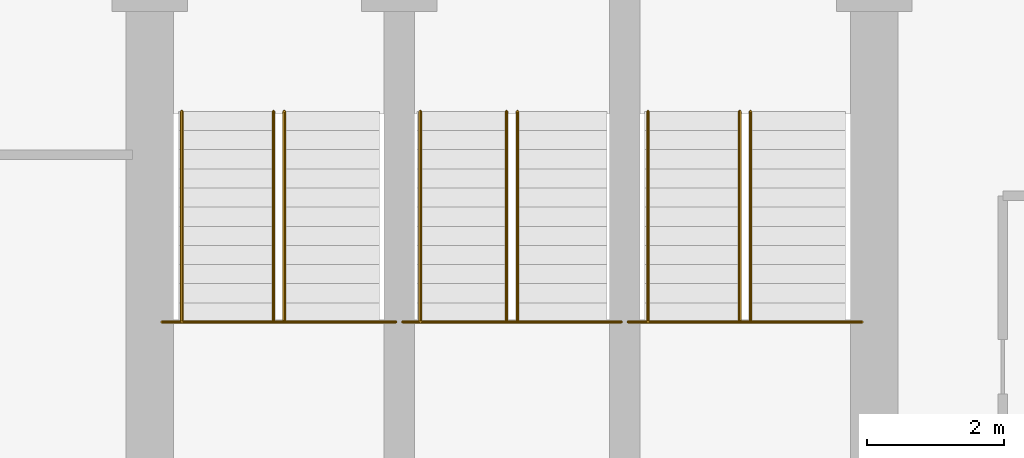
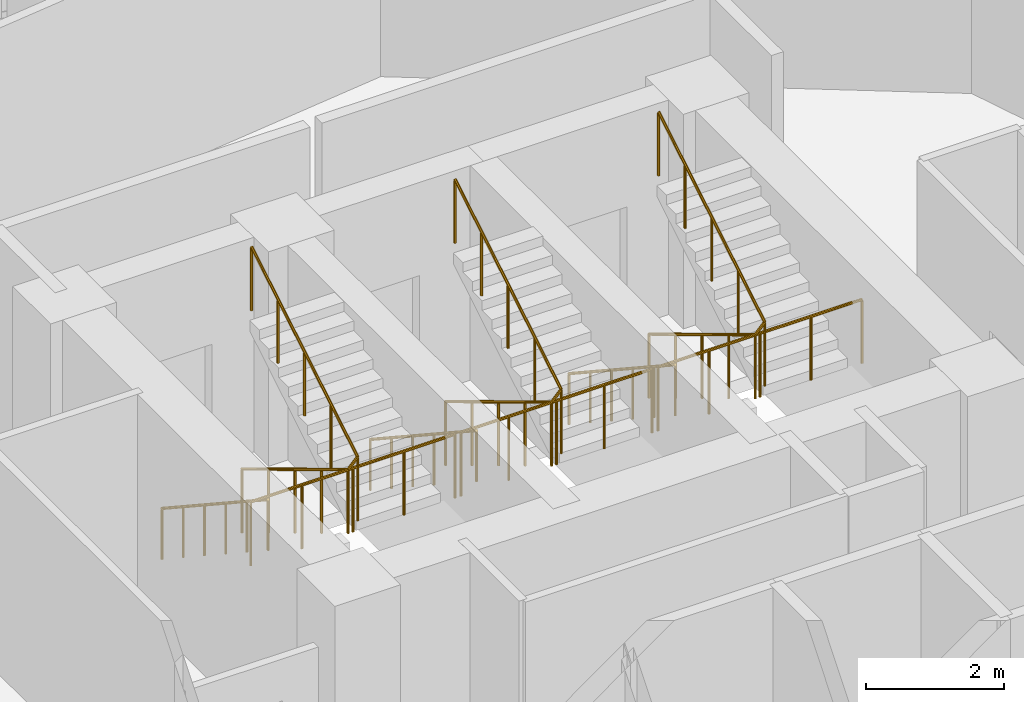
# One storey, part 24 of 24: 9 railings.
"""IFC4 building model written with IfcOpenShell, lengths in metres."""

from ifc_helpers import new_model, si_unit, direction, frame, origin, place, context, subcontext, project, spatial, polyline, outline, extrude, material, type_object, element, save


model = new_model("IFC4")

# Units and contexts
model_context = context("Model", 3, precision=1e-05, world=origin(), true_north=direction((0.0, 1.0)))
body_context = subcontext(model_context, "Body", "Model", "MODEL_VIEW")
ifc_project = project(units=[si_unit("LENGTHUNIT", "METRE"), si_unit("AREAUNIT", "SQUARE_METRE"), si_unit("VOLUMEUNIT", "CUBIC_METRE"), si_unit("PLANEANGLEUNIT", "RADIAN"), si_unit("MASSUNIT", "GRAM", prefix="KILO")], contexts=[model_context])

# Site, building, storey
site_placement = place(None, origin())
site = spatial("IfcSite", under=ifc_project, at=site_placement, CompositionType="ELEMENT")
building_placement = place(site_placement, origin())
building = spatial("IfcBuilding", under=site, at=building_placement, Name="Nuhasar Tower", CompositionType="ELEMENT")
storey_placement = place(building_placement, frame((0.0, 0.0, 89.85009765625)))
storey = spatial("IfcBuildingStorey", under=building, at=storey_placement, Name="L21", CompositionType="ELEMENT", Elevation=89.85009765625)

# Railings
ifc_material_1 = material(Name="Steel S355", Category="steel")
railing_type_1 = type_object("IfcRailingType", Name="RLG-STAIR-GUARD-1150", PredefinedType="GUARDRAIL", material=ifc_material_1)
railing_1_placement = place(storey_placement, frame((33.8798828125, 32.205078125, 2.02490234375)))
element("IfcRailing", 1, at=railing_1_placement, inside=storey, type_object=railing_type_1, Name="L21 Stair ST-01 Guardrail LND", PredefinedType="GUARDRAIL", context=body_context, shape_type="SweptSolid", body=[
    extrude(outline(polyline([(0.024169921875, 0.0), (0.01708984375, 0.01708984375), (0.0, 0.024169921875), (-0.01708984375, 0.01708984375), (-0.024169921875, 0.0), (-0.01708984375, -0.01708984375), (0.0, -0.024169921875), (0.01708984375, -0.01708984375), (0.024169921875, 0.0)])), frame((0.0, 0.0, 1.1259765625), z_axis=(1.0, 0.0, 0.0), x_axis=(0.0, 1.0, 0.0)), (0.0, 0.0, 1.0), 3.420166015625),
    extrude(outline(polyline([(0.02099609375, 0.0), (0.014892578125, 0.014892578125), (0.0, 0.02099609375), (-0.014892578125, 0.014892578125), (-0.02099609375, 0.0), (-0.014892578125, -0.014892578125), (0.0, -0.02099609375), (0.014892578125, -0.014892578125), (0.02099609375, 0.0)])), origin(), (0.0, 0.0, 1.0), 1.101806640625),
    extrude(outline(polyline([(0.02099609375, 0.0), (0.014892578125, 0.014892578125), (0.0, 0.02099609375), (-0.014892578125, 0.014892578125), (-0.02099609375, 0.0), (-0.014892578125, -0.014892578125), (0.0, -0.02099609375), (0.014892578125, -0.014892578125), (0.02099609375, 0.0)])), frame((0.85498046875, 0.0, 0.0)), (0.0, 0.0, 1.0), 1.101806640625),
    extrude(outline(polyline([(0.02099609375, 0.0), (0.014892578125, 0.014892578125), (0.0, 0.02099609375), (-0.014892578125, 0.014892578125), (-0.02099609375, 0.0), (-0.014892578125, -0.014892578125), (0.0, -0.02099609375), (0.014892578125, -0.014892578125), (0.02099609375, 0.0)])), frame((1.7099609375, 0.0, 0.0)), (0.0, 0.0, 1.0), 1.101806640625),
    extrude(outline(polyline([(0.02099609375, 0.0), (0.014892578125, 0.014892578125), (0.0, 0.02099609375), (-0.014892578125, 0.014892578125), (-0.02099609375, 0.0), (-0.014892578125, -0.014892578125), (0.0, -0.02099609375), (0.014892578125, -0.014892578125), (0.02099609375, 0.0)])), frame((2.565185546875, 0.0, 0.0)), (0.0, 0.0, 1.0), 1.101806640625),
    extrude(outline(polyline([(0.02099609375, 0.0), (0.014892578125, 0.014892578125), (0.0, 0.02099609375), (-0.014892578125, 0.014892578125), (-0.02099609375, 0.0), (-0.014892578125, -0.014892578125), (0.0, -0.02099609375), (0.014892578125, -0.014892578125), (0.02099609375, 0.0)])), frame((3.420166015625, 0.0, 0.0)), (0.0, 0.0, 1.0), 1.101806640625),
])
railing_2_placement = place(storey_placement, frame((35.510009765625, 35.284912109375, 0.1689453125)))
element("IfcRailing", 2, at=railing_2_placement, inside=storey, type_object=railing_type_1, Name="L21 Stair ST-01 Guardrail SLT", PredefinedType="GUARDRAIL", context=body_context, shape_type="SweptSolid", body=[
    extrude(outline(polyline([(0.024169921875, 0.0), (0.01708984375, 0.01708984375), (0.0, 0.024169921875), (-0.01708984375, 0.01708984375), (-0.024169921875, 0.0), (-0.01708984375, -0.01708984375), (0.0, -0.024169921875), (0.01708984375, -0.01708984375), (0.024169921875, 0.0)])), frame((0.0, 0.0, 1.1259765625), z_axis=(0.0, -0.856502863198, 0.516142272377), x_axis=(1.0, 0.0, 0.0)), (0.0, 0.0, 1.0), 3.595703125),
    extrude(outline(polyline([(0.024169921875, 0.0), (0.01708984375, 0.01708984375), (0.0, 0.024169921875), (-0.01708984375, 0.01708984375), (-0.024169921875, 0.0), (-0.01708984375, -0.01708984375), (0.0, -0.024169921875), (0.01708984375, -0.01708984375), (0.024169921875, 0.0)])), frame((0.0, -3.079833984375, 2.98193359375), z_axis=(0.687424367727, 0.0, 0.726255973232), x_axis=(0.0, 1.0, 0.0)), (0.0, 0.0, 1.0), 0.232666015625),
    extrude(outline(polyline([(0.024169921875, 0.0), (0.01708984375, 0.01708984375), (0.0, 0.024169921875), (-0.01708984375, 0.01708984375), (-0.024169921875, 0.0), (-0.01708984375, -0.01708984375), (0.0, -0.024169921875), (0.01708984375, -0.01708984375), (0.024169921875, 0.0)])), frame((0.159912109375, -3.079833984375, 3.15087890625), z_axis=(0.0, 0.856502863198, 0.516142272377), x_axis=(-1.0, 0.0, 0.0)), (0.0, 0.0, 1.0), 3.595703125),
    extrude(outline(polyline([(0.02099609375, 0.0), (0.014892578125, 0.014892578125), (0.0, 0.02099609375), (-0.014892578125, 0.014892578125), (-0.02099609375, 0.0), (-0.014892578125, -0.014892578125), (0.0, -0.02099609375), (0.014892578125, -0.014892578125), (0.02099609375, 0.0)])), origin(), (0.0, 0.0, 1.0), 1.101806640625),
    extrude(outline(polyline([(0.02099609375, 0.0), (0.014892578125, 0.014892578125), (0.0, 0.02099609375), (-0.014892578125, 0.014892578125), (-0.02099609375, 0.0), (-0.014892578125, -0.014892578125), (0.0, -0.02099609375), (0.014892578125, -0.014892578125), (0.02099609375, 0.0)])), frame((0.0, -0.77001953125, 0.4638671875)), (0.0, 0.0, 1.0), 1.101806640625),
    extrude(outline(polyline([(0.02099609375, 0.0), (0.014892578125, 0.014892578125), (0.0, 0.02099609375), (-0.014892578125, 0.014892578125), (-0.02099609375, 0.0), (-0.014892578125, -0.014892578125), (0.0, -0.02099609375), (0.014892578125, -0.014892578125), (0.02099609375, 0.0)])), frame((0.0, -1.5400390625, 0.927978515625)), (0.0, 0.0, 1.0), 1.101806640625),
    extrude(outline(polyline([(0.02099609375, 0.0), (0.014892578125, 0.014892578125), (0.0, 0.02099609375), (-0.014892578125, 0.014892578125), (-0.02099609375, 0.0), (-0.014892578125, -0.014892578125), (0.0, -0.02099609375), (0.014892578125, -0.014892578125), (0.02099609375, 0.0)])), frame((0.0, -2.309814453125, 1.39208984375)), (0.0, 0.0, 1.0), 1.101806640625),
    extrude(outline(polyline([(0.02099609375, 0.0), (0.014892578125, 0.014892578125), (0.0, 0.02099609375), (-0.014892578125, 0.014892578125), (-0.02099609375, 0.0), (-0.014892578125, -0.014892578125), (0.0, -0.02099609375), (0.014892578125, -0.014892578125), (0.02099609375, 0.0)])), frame((0.0, -3.079833984375, 1.85595703125)), (0.0, 0.0, 1.0), 1.101806640625),
    extrude(outline(polyline([(0.02099609375, 0.0), (0.014892578125, 0.014892578125), (0.0, 0.02099609375), (-0.014892578125, 0.014892578125), (-0.02099609375, 0.0), (-0.014892578125, -0.014892578125), (0.0, -0.02099609375), (0.014892578125, -0.014892578125), (0.02099609375, 0.0)])), frame((0.159912109375, -3.079833984375, 2.02490234375)), (0.0, 0.0, 1.0), 1.101806640625),
    extrude(outline(polyline([(0.02099609375, 0.0), (0.014892578125, 0.014892578125), (0.0, 0.02099609375), (-0.014892578125, 0.014892578125), (-0.02099609375, 0.0), (-0.014892578125, -0.014892578125), (0.0, -0.02099609375), (0.014892578125, -0.014892578125), (0.02099609375, 0.0)])), frame((0.159912109375, -2.309814453125, 2.48876953125)), (0.0, 0.0, 1.0), 1.101806640625),
    extrude(outline(polyline([(0.02099609375, 0.0), (0.014892578125, 0.014892578125), (0.0, 0.02099609375), (-0.014892578125, 0.014892578125), (-0.02099609375, 0.0), (-0.014892578125, -0.014892578125), (0.0, -0.02099609375), (0.014892578125, -0.014892578125), (0.02099609375, 0.0)])), frame((0.159912109375, -1.5400390625, 2.952880859375)), (0.0, 0.0, 1.0), 1.101806640625),
    extrude(outline(polyline([(0.02099609375, 0.0), (0.014892578125, 0.014892578125), (0.0, 0.02099609375), (-0.014892578125, 0.014892578125), (-0.02099609375, 0.0), (-0.014892578125, -0.014892578125), (0.0, -0.02099609375), (0.014892578125, -0.014892578125), (0.02099609375, 0.0)])), frame((0.159912109375, -0.77001953125, 3.4169921875)), (0.0, 0.0, 1.0), 1.101806640625),
    extrude(outline(polyline([(0.02099609375, 0.0), (0.014892578125, 0.014892578125), (0.0, 0.02099609375), (-0.014892578125, 0.014892578125), (-0.02099609375, 0.0), (-0.014892578125, -0.014892578125), (0.0, -0.02099609375), (0.014892578125, -0.014892578125), (0.02099609375, 0.0)])), frame((0.159912109375, 0.0, 3.880859375)), (0.0, 0.0, 1.0), 1.101806640625),
])
railing_3_placement = place(storey_placement, frame((37.39990234375, 32.205078125, 2.02490234375)))
element("IfcRailing", 3, at=railing_3_placement, inside=storey, type_object=railing_type_1, Name="L21 Stair ST-03 Guardrail LND", PredefinedType="GUARDRAIL", context=body_context, shape_type="SweptSolid", body=[
    extrude(outline(polyline([(0.024169921875, 0.0), (0.01708984375, 0.01708984375), (0.0, 0.024169921875), (-0.01708984375, 0.01708984375), (-0.024169921875, 0.0), (-0.01708984375, -0.01708984375), (0.0, -0.024169921875), (0.01708984375, -0.01708984375), (0.024169921875, 0.0)])), frame((0.0, 0.0, 1.1259765625), z_axis=(1.0, 0.0, 0.0), x_axis=(0.0, 1.0, 0.0)), (0.0, 0.0, 1.0), 3.2001953125),
    extrude(outline(polyline([(0.02099609375, 0.0), (0.014892578125, 0.014892578125), (0.0, 0.02099609375), (-0.014892578125, 0.014892578125), (-0.02099609375, 0.0), (-0.014892578125, -0.014892578125), (0.0, -0.02099609375), (0.014892578125, -0.014892578125), (0.02099609375, 0.0)])), origin(), (0.0, 0.0, 1.0), 1.101806640625),
    extrude(outline(polyline([(0.02099609375, 0.0), (0.014892578125, 0.014892578125), (0.0, 0.02099609375), (-0.014892578125, 0.014892578125), (-0.02099609375, 0.0), (-0.014892578125, -0.014892578125), (0.0, -0.02099609375), (0.014892578125, -0.014892578125), (0.02099609375, 0.0)])), frame((0.800048828125, 0.0, 0.0)), (0.0, 0.0, 1.0), 1.101806640625),
    extrude(outline(polyline([(0.02099609375, 0.0), (0.014892578125, 0.014892578125), (0.0, 0.02099609375), (-0.014892578125, 0.014892578125), (-0.02099609375, 0.0), (-0.014892578125, -0.014892578125), (0.0, -0.02099609375), (0.014892578125, -0.014892578125), (0.02099609375, 0.0)])), frame((1.60009765625, 0.0, 0.0)), (0.0, 0.0, 1.0), 1.101806640625),
    extrude(outline(polyline([(0.02099609375, 0.0), (0.014892578125, 0.014892578125), (0.0, 0.02099609375), (-0.014892578125, 0.014892578125), (-0.02099609375, 0.0), (-0.014892578125, -0.014892578125), (0.0, -0.02099609375), (0.014892578125, -0.014892578125), (0.02099609375, 0.0)])), frame((2.400146484375, 0.0, 0.0)), (0.0, 0.0, 1.0), 1.101806640625),
    extrude(outline(polyline([(0.02099609375, 0.0), (0.014892578125, 0.014892578125), (0.0, 0.02099609375), (-0.014892578125, 0.014892578125), (-0.02099609375, 0.0), (-0.014892578125, -0.014892578125), (0.0, -0.02099609375), (0.014892578125, -0.014892578125), (0.02099609375, 0.0)])), frame((3.2001953125, 0.0, 0.0)), (0.0, 0.0, 1.0), 1.101806640625),
])
railing_4_placement = place(storey_placement, frame((38.919921875, 35.284912109375, 0.1689453125)))
element("IfcRailing", 4, at=railing_4_placement, inside=storey, type_object=railing_type_1, Name="L21 Stair ST-03 Guardrail SLT", PredefinedType="GUARDRAIL", context=body_context, shape_type="SweptSolid", body=[
    extrude(outline(polyline([(0.024169921875, 0.0), (0.01708984375, 0.01708984375), (0.0, 0.024169921875), (-0.01708984375, 0.01708984375), (-0.024169921875, 0.0), (-0.01708984375, -0.01708984375), (0.0, -0.024169921875), (0.01708984375, -0.01708984375), (0.024169921875, 0.0)])), frame((0.0, 0.0, 1.1259765625), z_axis=(0.0, -0.856502863198, 0.516142272377), x_axis=(1.0, 0.0, 0.0)), (0.0, 0.0, 1.0), 3.595703125),
    extrude(outline(polyline([(0.024169921875, 0.0), (0.01708984375, 0.01708984375), (0.0, 0.024169921875), (-0.01708984375, 0.01708984375), (-0.024169921875, 0.0), (-0.01708984375, -0.01708984375), (0.0, -0.024169921875), (0.01708984375, -0.01708984375), (0.024169921875, 0.0)])), frame((0.0, -3.079833984375, 2.98193359375), z_axis=(0.687977326998, 0.0, 0.725732180309), x_axis=(0.0, 1.0, 0.0)), (0.0, 0.0, 1.0), 0.23291015625),
    extrude(outline(polyline([(0.024169921875, 0.0), (0.01708984375, 0.01708984375), (0.0, 0.024169921875), (-0.01708984375, 0.01708984375), (-0.024169921875, 0.0), (-0.01708984375, -0.01708984375), (0.0, -0.024169921875), (0.01708984375, -0.01708984375), (0.024169921875, 0.0)])), frame((0.16015625, -3.079833984375, 3.15087890625), z_axis=(0.0, 0.856502863198, 0.516142272377), x_axis=(-1.0, 0.0, 0.0)), (0.0, 0.0, 1.0), 3.595703125),
    extrude(outline(polyline([(0.02099609375, 0.0), (0.014892578125, 0.014892578125), (0.0, 0.02099609375), (-0.014892578125, 0.014892578125), (-0.02099609375, 0.0), (-0.014892578125, -0.014892578125), (0.0, -0.02099609375), (0.014892578125, -0.014892578125), (0.02099609375, 0.0)])), origin(), (0.0, 0.0, 1.0), 1.101806640625),
    extrude(outline(polyline([(0.02099609375, 0.0), (0.014892578125, 0.014892578125), (0.0, 0.02099609375), (-0.014892578125, 0.014892578125), (-0.02099609375, 0.0), (-0.014892578125, -0.014892578125), (0.0, -0.02099609375), (0.014892578125, -0.014892578125), (0.02099609375, 0.0)])), frame((0.0, -0.77001953125, 0.4638671875)), (0.0, 0.0, 1.0), 1.101806640625),
    extrude(outline(polyline([(0.02099609375, 0.0), (0.014892578125, 0.014892578125), (0.0, 0.02099609375), (-0.014892578125, 0.014892578125), (-0.02099609375, 0.0), (-0.014892578125, -0.014892578125), (0.0, -0.02099609375), (0.014892578125, -0.014892578125), (0.02099609375, 0.0)])), frame((0.0, -1.5400390625, 0.927978515625)), (0.0, 0.0, 1.0), 1.101806640625),
    extrude(outline(polyline([(0.02099609375, 0.0), (0.014892578125, 0.014892578125), (0.0, 0.02099609375), (-0.014892578125, 0.014892578125), (-0.02099609375, 0.0), (-0.014892578125, -0.014892578125), (0.0, -0.02099609375), (0.014892578125, -0.014892578125), (0.02099609375, 0.0)])), frame((0.0, -2.309814453125, 1.39208984375)), (0.0, 0.0, 1.0), 1.101806640625),
    extrude(outline(polyline([(0.02099609375, 0.0), (0.014892578125, 0.014892578125), (0.0, 0.02099609375), (-0.014892578125, 0.014892578125), (-0.02099609375, 0.0), (-0.014892578125, -0.014892578125), (0.0, -0.02099609375), (0.014892578125, -0.014892578125), (0.02099609375, 0.0)])), frame((0.0, -3.079833984375, 1.85595703125)), (0.0, 0.0, 1.0), 1.101806640625),
    extrude(outline(polyline([(0.02099609375, 0.0), (0.014892578125, 0.014892578125), (0.0, 0.02099609375), (-0.014892578125, 0.014892578125), (-0.02099609375, 0.0), (-0.014892578125, -0.014892578125), (0.0, -0.02099609375), (0.014892578125, -0.014892578125), (0.02099609375, 0.0)])), frame((0.16015625, -3.079833984375, 2.02490234375)), (0.0, 0.0, 1.0), 1.101806640625),
    extrude(outline(polyline([(0.02099609375, 0.0), (0.014892578125, 0.014892578125), (0.0, 0.02099609375), (-0.014892578125, 0.014892578125), (-0.02099609375, 0.0), (-0.014892578125, -0.014892578125), (0.0, -0.02099609375), (0.014892578125, -0.014892578125), (0.02099609375, 0.0)])), frame((0.16015625, -2.309814453125, 2.48876953125)), (0.0, 0.0, 1.0), 1.101806640625),
    extrude(outline(polyline([(0.02099609375, 0.0), (0.014892578125, 0.014892578125), (0.0, 0.02099609375), (-0.014892578125, 0.014892578125), (-0.02099609375, 0.0), (-0.014892578125, -0.014892578125), (0.0, -0.02099609375), (0.014892578125, -0.014892578125), (0.02099609375, 0.0)])), frame((0.16015625, -1.5400390625, 2.952880859375)), (0.0, 0.0, 1.0), 1.101806640625),
    extrude(outline(polyline([(0.02099609375, 0.0), (0.014892578125, 0.014892578125), (0.0, 0.02099609375), (-0.014892578125, 0.014892578125), (-0.02099609375, 0.0), (-0.014892578125, -0.014892578125), (0.0, -0.02099609375), (0.014892578125, -0.014892578125), (0.02099609375, 0.0)])), frame((0.16015625, -0.77001953125, 3.4169921875)), (0.0, 0.0, 1.0), 1.101806640625),
    extrude(outline(polyline([(0.02099609375, 0.0), (0.014892578125, 0.014892578125), (0.0, 0.02099609375), (-0.014892578125, 0.014892578125), (-0.02099609375, 0.0), (-0.014892578125, -0.014892578125), (0.0, -0.02099609375), (0.014892578125, -0.014892578125), (0.02099609375, 0.0)])), frame((0.16015625, 0.0, 3.880859375)), (0.0, 0.0, 1.0), 1.101806640625),
])
railing_5_placement = place(storey_placement, frame((40.699951171875, 32.205078125, 2.02490234375)))
element("IfcRailing", 5, at=railing_5_placement, inside=storey, type_object=railing_type_1, Name="L21 Stair ST-02 Guardrail LND", PredefinedType="GUARDRAIL", context=body_context, shape_type="SweptSolid", body=[
    extrude(outline(polyline([(0.024169921875, 0.0), (0.01708984375, 0.01708984375), (0.0, 0.024169921875), (-0.01708984375, 0.01708984375), (-0.024169921875, 0.0), (-0.01708984375, -0.01708984375), (0.0, -0.024169921875), (0.01708984375, -0.01708984375), (0.024169921875, 0.0)])), frame((0.0, 0.0, 1.1259765625), z_axis=(1.0, 0.0, 0.0), x_axis=(0.0, 1.0, 0.0)), (0.0, 0.0, 1.0), 3.420166015625),
    extrude(outline(polyline([(0.02099609375, 0.0), (0.014892578125, 0.014892578125), (0.0, 0.02099609375), (-0.014892578125, 0.014892578125), (-0.02099609375, 0.0), (-0.014892578125, -0.014892578125), (0.0, -0.02099609375), (0.014892578125, -0.014892578125), (0.02099609375, 0.0)])), origin(), (0.0, 0.0, 1.0), 1.101806640625),
    extrude(outline(polyline([(0.02099609375, 0.0), (0.014892578125, 0.014892578125), (0.0, 0.02099609375), (-0.014892578125, 0.014892578125), (-0.02099609375, 0.0), (-0.014892578125, -0.014892578125), (0.0, -0.02099609375), (0.014892578125, -0.014892578125), (0.02099609375, 0.0)])), frame((0.85498046875, 0.0, 0.0)), (0.0, 0.0, 1.0), 1.101806640625),
    extrude(outline(polyline([(0.02099609375, 0.0), (0.014892578125, 0.014892578125), (0.0, 0.02099609375), (-0.014892578125, 0.014892578125), (-0.02099609375, 0.0), (-0.014892578125, -0.014892578125), (0.0, -0.02099609375), (0.014892578125, -0.014892578125), (0.02099609375, 0.0)])), frame((1.7099609375, 0.0, 0.0)), (0.0, 0.0, 1.0), 1.101806640625),
    extrude(outline(polyline([(0.02099609375, 0.0), (0.014892578125, 0.014892578125), (0.0, 0.02099609375), (-0.014892578125, 0.014892578125), (-0.02099609375, 0.0), (-0.014892578125, -0.014892578125), (0.0, -0.02099609375), (0.014892578125, -0.014892578125), (0.02099609375, 0.0)])), frame((2.565185546875, 0.0, 0.0)), (0.0, 0.0, 1.0), 1.101806640625),
    extrude(outline(polyline([(0.02099609375, 0.0), (0.014892578125, 0.014892578125), (0.0, 0.02099609375), (-0.014892578125, 0.014892578125), (-0.02099609375, 0.0), (-0.014892578125, -0.014892578125), (0.0, -0.02099609375), (0.014892578125, -0.014892578125), (0.02099609375, 0.0)])), frame((3.420166015625, 0.0, 0.0)), (0.0, 0.0, 1.0), 1.101806640625),
])
railing_6_placement = place(storey_placement, frame((42.330078125, 35.284912109375, 0.1689453125)))
element("IfcRailing", 6, at=railing_6_placement, inside=storey, type_object=railing_type_1, Name="L21 Stair ST-02 Guardrail SLT", PredefinedType="GUARDRAIL", context=body_context, shape_type="SweptSolid", body=[
    extrude(outline(polyline([(0.024169921875, 0.0), (0.01708984375, 0.01708984375), (0.0, 0.024169921875), (-0.01708984375, 0.01708984375), (-0.024169921875, 0.0), (-0.01708984375, -0.01708984375), (0.0, -0.024169921875), (0.01708984375, -0.01708984375), (0.024169921875, 0.0)])), frame((0.0, 0.0, 1.1259765625), z_axis=(0.0, -0.856502863198, 0.516142272377), x_axis=(1.0, 0.0, 0.0)), (0.0, 0.0, 1.0), 3.595703125),
    extrude(outline(polyline([(0.024169921875, 0.0), (0.01708984375, 0.01708984375), (0.0, 0.024169921875), (-0.01708984375, 0.01708984375), (-0.024169921875, 0.0), (-0.01708984375, -0.01708984375), (0.0, -0.024169921875), (0.01708984375, -0.01708984375), (0.024169921875, 0.0)])), frame((0.0, -3.079833984375, 2.98193359375), z_axis=(0.687424367727, 0.0, 0.726255973232), x_axis=(0.0, 1.0, 0.0)), (0.0, 0.0, 1.0), 0.232666015625),
    extrude(outline(polyline([(0.024169921875, 0.0), (0.01708984375, 0.01708984375), (0.0, 0.024169921875), (-0.01708984375, 0.01708984375), (-0.024169921875, 0.0), (-0.01708984375, -0.01708984375), (0.0, -0.024169921875), (0.01708984375, -0.01708984375), (0.024169921875, 0.0)])), frame((0.159912109375, -3.079833984375, 3.15087890625), z_axis=(0.0, 0.856502863198, 0.516142272377), x_axis=(-1.0, 0.0, 0.0)), (0.0, 0.0, 1.0), 3.595703125),
    extrude(outline(polyline([(0.02099609375, 0.0), (0.014892578125, 0.014892578125), (0.0, 0.02099609375), (-0.014892578125, 0.014892578125), (-0.02099609375, 0.0), (-0.014892578125, -0.014892578125), (0.0, -0.02099609375), (0.014892578125, -0.014892578125), (0.02099609375, 0.0)])), origin(), (0.0, 0.0, 1.0), 1.101806640625),
    extrude(outline(polyline([(0.02099609375, 0.0), (0.014892578125, 0.014892578125), (0.0, 0.02099609375), (-0.014892578125, 0.014892578125), (-0.02099609375, 0.0), (-0.014892578125, -0.014892578125), (0.0, -0.02099609375), (0.014892578125, -0.014892578125), (0.02099609375, 0.0)])), frame((0.0, -0.77001953125, 0.4638671875)), (0.0, 0.0, 1.0), 1.101806640625),
    extrude(outline(polyline([(0.02099609375, 0.0), (0.014892578125, 0.014892578125), (0.0, 0.02099609375), (-0.014892578125, 0.014892578125), (-0.02099609375, 0.0), (-0.014892578125, -0.014892578125), (0.0, -0.02099609375), (0.014892578125, -0.014892578125), (0.02099609375, 0.0)])), frame((0.0, -1.5400390625, 0.927978515625)), (0.0, 0.0, 1.0), 1.101806640625),
    extrude(outline(polyline([(0.02099609375, 0.0), (0.014892578125, 0.014892578125), (0.0, 0.02099609375), (-0.014892578125, 0.014892578125), (-0.02099609375, 0.0), (-0.014892578125, -0.014892578125), (0.0, -0.02099609375), (0.014892578125, -0.014892578125), (0.02099609375, 0.0)])), frame((0.0, -2.309814453125, 1.39208984375)), (0.0, 0.0, 1.0), 1.101806640625),
    extrude(outline(polyline([(0.02099609375, 0.0), (0.014892578125, 0.014892578125), (0.0, 0.02099609375), (-0.014892578125, 0.014892578125), (-0.02099609375, 0.0), (-0.014892578125, -0.014892578125), (0.0, -0.02099609375), (0.014892578125, -0.014892578125), (0.02099609375, 0.0)])), frame((0.0, -3.079833984375, 1.85595703125)), (0.0, 0.0, 1.0), 1.101806640625),
    extrude(outline(polyline([(0.02099609375, 0.0), (0.014892578125, 0.014892578125), (0.0, 0.02099609375), (-0.014892578125, 0.014892578125), (-0.02099609375, 0.0), (-0.014892578125, -0.014892578125), (0.0, -0.02099609375), (0.014892578125, -0.014892578125), (0.02099609375, 0.0)])), frame((0.159912109375, -3.079833984375, 2.02490234375)), (0.0, 0.0, 1.0), 1.101806640625),
    extrude(outline(polyline([(0.02099609375, 0.0), (0.014892578125, 0.014892578125), (0.0, 0.02099609375), (-0.014892578125, 0.014892578125), (-0.02099609375, 0.0), (-0.014892578125, -0.014892578125), (0.0, -0.02099609375), (0.014892578125, -0.014892578125), (0.02099609375, 0.0)])), frame((0.159912109375, -2.309814453125, 2.48876953125)), (0.0, 0.0, 1.0), 1.101806640625),
    extrude(outline(polyline([(0.02099609375, 0.0), (0.014892578125, 0.014892578125), (0.0, 0.02099609375), (-0.014892578125, 0.014892578125), (-0.02099609375, 0.0), (-0.014892578125, -0.014892578125), (0.0, -0.02099609375), (0.014892578125, -0.014892578125), (0.02099609375, 0.0)])), frame((0.159912109375, -1.5400390625, 2.952880859375)), (0.0, 0.0, 1.0), 1.101806640625),
    extrude(outline(polyline([(0.02099609375, 0.0), (0.014892578125, 0.014892578125), (0.0, 0.02099609375), (-0.014892578125, 0.014892578125), (-0.02099609375, 0.0), (-0.014892578125, -0.014892578125), (0.0, -0.02099609375), (0.014892578125, -0.014892578125), (0.02099609375, 0.0)])), frame((0.159912109375, -0.77001953125, 3.4169921875)), (0.0, 0.0, 1.0), 1.101806640625),
    extrude(outline(polyline([(0.02099609375, 0.0), (0.014892578125, 0.014892578125), (0.0, 0.02099609375), (-0.014892578125, 0.014892578125), (-0.02099609375, 0.0), (-0.014892578125, -0.014892578125), (0.0, -0.02099609375), (0.014892578125, -0.014892578125), (0.02099609375, 0.0)])), frame((0.159912109375, 0.0, 3.880859375)), (0.0, 0.0, 1.0), 1.101806640625),
])
ifc_material_2 = material(Name="Stainless Steel 316L", Category="steel")
railing_type_2 = type_object("IfcRailingType", Name="RLG-STAIR-HAND-920", PredefinedType="HANDRAIL", material=ifc_material_2)
railing_7_placement = place(storey_placement, frame((34.169921875, 35.284912109375, 0.1689453125)))
element("IfcRailing", 7, at=railing_7_placement, inside=storey, type_object=railing_type_2, Name="L21 Stair ST-01 Handrail HND1", PredefinedType="HANDRAIL", context=body_context, shape_type="SweptSolid", body=[
    extrude(outline(polyline([(0.024169921875, 0.0), (0.01708984375, 0.01708984375), (0.0, 0.024169921875), (-0.01708984375, 0.01708984375), (-0.024169921875, 0.0), (-0.01708984375, -0.01708984375), (0.0, -0.024169921875), (0.01708984375, -0.01708984375), (0.024169921875, 0.0)])), frame((0.0, 0.0, 0.89599609375), z_axis=(0.0, -0.83557951683, 0.54936952141), x_axis=(1.0, 0.0, 0.0)), (0.0, 0.0, 1.0), 3.685791015625),
    extrude(outline(polyline([(0.02099609375, 0.0), (0.014892578125, 0.014892578125), (0.0, 0.02099609375), (-0.014892578125, 0.014892578125), (-0.02099609375, 0.0), (-0.014892578125, -0.014892578125), (0.0, -0.02099609375), (0.014892578125, -0.014892578125), (0.02099609375, 0.0)])), origin(), (0.0, 0.0, 1.0), 0.871826171875),
    extrude(outline(polyline([(0.02099609375, 0.0), (0.014892578125, 0.014892578125), (0.0, 0.02099609375), (-0.014892578125, 0.014892578125), (-0.02099609375, 0.0), (-0.014892578125, -0.014892578125), (0.0, -0.02099609375), (0.014892578125, -0.014892578125), (0.02099609375, 0.0)])), frame((0.0, -0.615966796875, 0.405029296875)), (0.0, 0.0, 1.0), 0.871826171875),
    extrude(outline(polyline([(0.02099609375, 0.0), (0.014892578125, 0.014892578125), (0.0, 0.02099609375), (-0.014892578125, 0.014892578125), (-0.02099609375, 0.0), (-0.014892578125, -0.014892578125), (0.0, -0.02099609375), (0.014892578125, -0.014892578125), (0.02099609375, 0.0)])), frame((0.0, -1.23193359375, 0.81005859375)), (0.0, 0.0, 1.0), 0.871826171875),
    extrude(outline(polyline([(0.02099609375, 0.0), (0.014892578125, 0.014892578125), (0.0, 0.02099609375), (-0.014892578125, 0.014892578125), (-0.02099609375, 0.0), (-0.014892578125, -0.014892578125), (0.0, -0.02099609375), (0.014892578125, -0.014892578125), (0.02099609375, 0.0)])), frame((0.0, -1.847900390625, 1.21484375)), (0.0, 0.0, 1.0), 0.871826171875),
    extrude(outline(polyline([(0.02099609375, 0.0), (0.014892578125, 0.014892578125), (0.0, 0.02099609375), (-0.014892578125, 0.014892578125), (-0.02099609375, 0.0), (-0.014892578125, -0.014892578125), (0.0, -0.02099609375), (0.014892578125, -0.014892578125), (0.02099609375, 0.0)])), frame((0.0, -2.4638671875, 1.619873046875)), (0.0, 0.0, 1.0), 0.871826171875),
    extrude(outline(polyline([(0.02099609375, 0.0), (0.014892578125, 0.014892578125), (0.0, 0.02099609375), (-0.014892578125, 0.014892578125), (-0.02099609375, 0.0), (-0.014892578125, -0.014892578125), (0.0, -0.02099609375), (0.014892578125, -0.014892578125), (0.02099609375, 0.0)])), frame((0.0, -3.079833984375, 2.02490234375)), (0.0, 0.0, 1.0), 0.871826171875),
])
railing_8_placement = place(storey_placement, frame((37.659912109375, 35.284912109375, 0.1689453125)))
element("IfcRailing", 8, at=railing_8_placement, inside=storey, type_object=railing_type_2, Name="L21 Stair ST-03 Handrail HND1", PredefinedType="HANDRAIL", context=body_context, shape_type="SweptSolid", body=[
    extrude(outline(polyline([(0.024169921875, 0.0), (0.01708984375, 0.01708984375), (0.0, 0.024169921875), (-0.01708984375, 0.01708984375), (-0.024169921875, 0.0), (-0.01708984375, -0.01708984375), (0.0, -0.024169921875), (0.01708984375, -0.01708984375), (0.024169921875, 0.0)])), frame((0.0, 0.0, 0.89599609375), z_axis=(0.0, -0.83557951683, 0.54936952141), x_axis=(1.0, 0.0, 0.0)), (0.0, 0.0, 1.0), 3.685791015625),
    extrude(outline(polyline([(0.02099609375, 0.0), (0.014892578125, 0.014892578125), (0.0, 0.02099609375), (-0.014892578125, 0.014892578125), (-0.02099609375, 0.0), (-0.014892578125, -0.014892578125), (0.0, -0.02099609375), (0.014892578125, -0.014892578125), (0.02099609375, 0.0)])), origin(), (0.0, 0.0, 1.0), 0.871826171875),
    extrude(outline(polyline([(0.02099609375, 0.0), (0.014892578125, 0.014892578125), (0.0, 0.02099609375), (-0.014892578125, 0.014892578125), (-0.02099609375, 0.0), (-0.014892578125, -0.014892578125), (0.0, -0.02099609375), (0.014892578125, -0.014892578125), (0.02099609375, 0.0)])), frame((0.0, -0.615966796875, 0.405029296875)), (0.0, 0.0, 1.0), 0.871826171875),
    extrude(outline(polyline([(0.02099609375, 0.0), (0.014892578125, 0.014892578125), (0.0, 0.02099609375), (-0.014892578125, 0.014892578125), (-0.02099609375, 0.0), (-0.014892578125, -0.014892578125), (0.0, -0.02099609375), (0.014892578125, -0.014892578125), (0.02099609375, 0.0)])), frame((0.0, -1.23193359375, 0.81005859375)), (0.0, 0.0, 1.0), 0.871826171875),
    extrude(outline(polyline([(0.02099609375, 0.0), (0.014892578125, 0.014892578125), (0.0, 0.02099609375), (-0.014892578125, 0.014892578125), (-0.02099609375, 0.0), (-0.014892578125, -0.014892578125), (0.0, -0.02099609375), (0.014892578125, -0.014892578125), (0.02099609375, 0.0)])), frame((0.0, -1.847900390625, 1.21484375)), (0.0, 0.0, 1.0), 0.871826171875),
    extrude(outline(polyline([(0.02099609375, 0.0), (0.014892578125, 0.014892578125), (0.0, 0.02099609375), (-0.014892578125, 0.014892578125), (-0.02099609375, 0.0), (-0.014892578125, -0.014892578125), (0.0, -0.02099609375), (0.014892578125, -0.014892578125), (0.02099609375, 0.0)])), frame((0.0, -2.4638671875, 1.619873046875)), (0.0, 0.0, 1.0), 0.871826171875),
    extrude(outline(polyline([(0.02099609375, 0.0), (0.014892578125, 0.014892578125), (0.0, 0.02099609375), (-0.014892578125, 0.014892578125), (-0.02099609375, 0.0), (-0.014892578125, -0.014892578125), (0.0, -0.02099609375), (0.014892578125, -0.014892578125), (0.02099609375, 0.0)])), frame((0.0, -3.079833984375, 2.02490234375)), (0.0, 0.0, 1.0), 0.871826171875),
])
railing_9_placement = place(storey_placement, frame((40.989990234375, 35.284912109375, 0.1689453125)))
element("IfcRailing", 9, at=railing_9_placement, inside=storey, type_object=railing_type_2, Name="L21 Stair ST-02 Handrail HND1", PredefinedType="HANDRAIL", context=body_context, shape_type="SweptSolid", body=[
    extrude(outline(polyline([(0.024169921875, 0.0), (0.01708984375, 0.01708984375), (0.0, 0.024169921875), (-0.01708984375, 0.01708984375), (-0.024169921875, 0.0), (-0.01708984375, -0.01708984375), (0.0, -0.024169921875), (0.01708984375, -0.01708984375), (0.024169921875, 0.0)])), frame((0.0, 0.0, 0.89599609375), z_axis=(0.0, -0.83557951683, 0.54936952141), x_axis=(1.0, 0.0, 0.0)), (0.0, 0.0, 1.0), 3.685791015625),
    extrude(outline(polyline([(0.02099609375, 0.0), (0.014892578125, 0.014892578125), (0.0, 0.02099609375), (-0.014892578125, 0.014892578125), (-0.02099609375, 0.0), (-0.014892578125, -0.014892578125), (0.0, -0.02099609375), (0.014892578125, -0.014892578125), (0.02099609375, 0.0)])), origin(), (0.0, 0.0, 1.0), 0.871826171875),
    extrude(outline(polyline([(0.02099609375, 0.0), (0.014892578125, 0.014892578125), (0.0, 0.02099609375), (-0.014892578125, 0.014892578125), (-0.02099609375, 0.0), (-0.014892578125, -0.014892578125), (0.0, -0.02099609375), (0.014892578125, -0.014892578125), (0.02099609375, 0.0)])), frame((0.0, -0.615966796875, 0.405029296875)), (0.0, 0.0, 1.0), 0.871826171875),
    extrude(outline(polyline([(0.02099609375, 0.0), (0.014892578125, 0.014892578125), (0.0, 0.02099609375), (-0.014892578125, 0.014892578125), (-0.02099609375, 0.0), (-0.014892578125, -0.014892578125), (0.0, -0.02099609375), (0.014892578125, -0.014892578125), (0.02099609375, 0.0)])), frame((0.0, -1.23193359375, 0.81005859375)), (0.0, 0.0, 1.0), 0.871826171875),
    extrude(outline(polyline([(0.02099609375, 0.0), (0.014892578125, 0.014892578125), (0.0, 0.02099609375), (-0.014892578125, 0.014892578125), (-0.02099609375, 0.0), (-0.014892578125, -0.014892578125), (0.0, -0.02099609375), (0.014892578125, -0.014892578125), (0.02099609375, 0.0)])), frame((0.0, -1.847900390625, 1.21484375)), (0.0, 0.0, 1.0), 0.871826171875),
    extrude(outline(polyline([(0.02099609375, 0.0), (0.014892578125, 0.014892578125), (0.0, 0.02099609375), (-0.014892578125, 0.014892578125), (-0.02099609375, 0.0), (-0.014892578125, -0.014892578125), (0.0, -0.02099609375), (0.014892578125, -0.014892578125), (0.02099609375, 0.0)])), frame((0.0, -2.4638671875, 1.619873046875)), (0.0, 0.0, 1.0), 0.871826171875),
    extrude(outline(polyline([(0.02099609375, 0.0), (0.014892578125, 0.014892578125), (0.0, 0.02099609375), (-0.014892578125, 0.014892578125), (-0.02099609375, 0.0), (-0.014892578125, -0.014892578125), (0.0, -0.02099609375), (0.014892578125, -0.014892578125), (0.02099609375, 0.0)])), frame((0.0, -3.079833984375, 2.02490234375)), (0.0, 0.0, 1.0), 0.871826171875),
])

save(model, "model.ifc")
